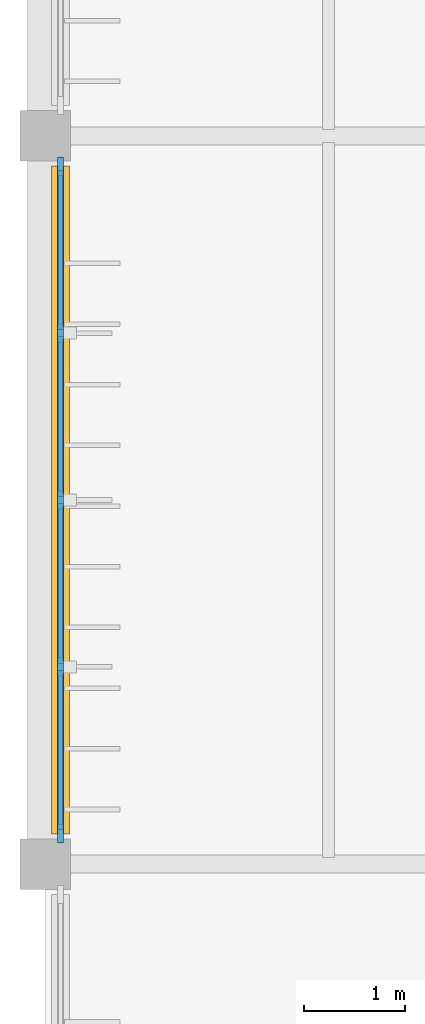
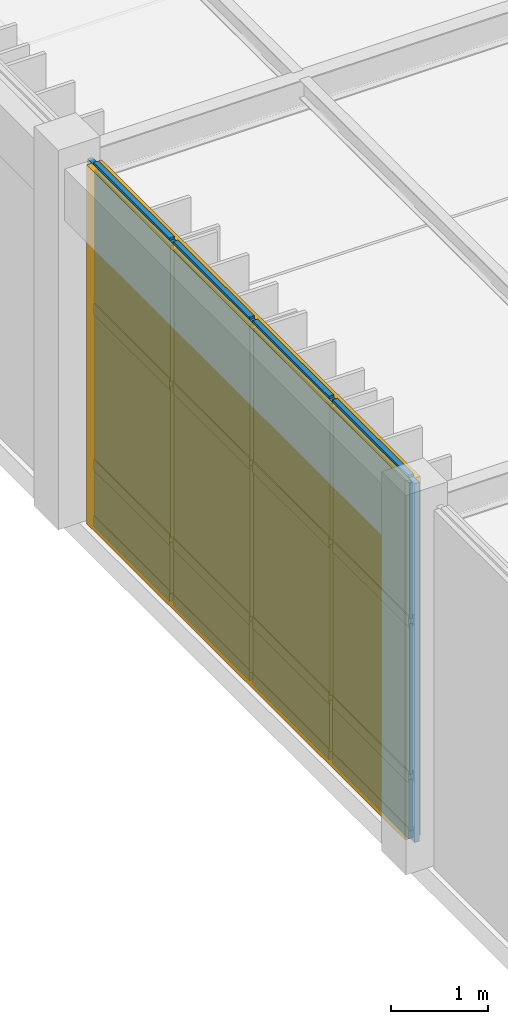
# One storey, part 63 of 122: 21 members, 12 plates, 1 curtain wall.
"""IFC4 building model written with IfcOpenShell, lengths in metres."""

import ifcopenshell
import ifcopenshell.guid

model = None  # the IFC model being written
_history = None  # IfcOwnerHistory: only IFC2X3 demands one
_inside = {}  # id of a spatial element -> (the spatial element, [elements in it])
_under = {}  # id of a project, library or spatial element -> (it, [spatial elements below it])
_declared = {}  # id of a project -> (the project, [libraries it declares])
_typed = {}  # id of a type object -> (the type object, [elements of that type])
_made_of = {}  # id of a material, layer set ... -> (it, [elements and type objects made of it])


def new_model(schema):
    """Start an empty IFC model of exactly this schema.

    Asked for "IFC4X3", IfcOpenShell would pick the latest addendum, in which some entities
    have other attributes; the version numbers below select the first issue.
    IFC2X3 requires an IfcOwnerHistory on every rooted entity: one is made here for all.
    """
    global model, _history
    if schema == "IFC4X3":
        model = ifcopenshell.file(schema_version=(4, 3, 0, 0))
    else:
        model = ifcopenshell.file(schema=schema)
    _inside.clear()
    _under.clear()
    _declared.clear()
    _typed.clear()
    _made_of.clear()
    _history = None
    if model.schema == "IFC2X3":
        org = make("IfcOrganization", Name="unknown")
        user = make(
            "IfcPersonAndOrganization",
            ThePerson=make("IfcPerson", FamilyName="unknown"),
            TheOrganization=org,
        )
        app = make(
            "IfcApplication",
            ApplicationDeveloper=org,
            Version="unknown",
            ApplicationFullName="unknown",
            ApplicationIdentifier="unknown",
        )
        _history = make(
            "IfcOwnerHistory",
            OwningUser=user,
            OwningApplication=app,
            ChangeAction="ADDED",
            CreationDate=0,
        )
    return model


def make(cls, **values):
    """One entity of the class cls with the attributes given. An attribute that is None is left unset."""
    return model.create_entity(
        cls, **{name: value for name, value in values.items() if value is not None}
    )


def rooted(cls, **values):
    """An entity with a GlobalId (a new one), such as an element, a storey or a relation."""
    return make(cls, GlobalId=ifcopenshell.guid.new(), OwnerHistory=_history, **values)


def si_unit(unit_type, name, prefix=None):
    """IfcSIUnit, for example si_unit("LENGTHUNIT", "METRE", prefix="MILLI")."""
    return make("IfcSIUnit", UnitType=unit_type, Prefix=prefix, Name=name)


def assignment(units):
    """IfcUnitAssignment: the units of a project."""
    return None if units is None else make("IfcUnitAssignment", Units=units)


def point(xyz):
    """IfcCartesianPoint."""
    return None if xyz is None else make("IfcCartesianPoint", Coordinates=xyz)


def direction(xyz):
    """IfcDirection."""
    return None if xyz is None else make("IfcDirection", DirectionRatios=xyz)


def frame(location, z_axis=None, x_axis=None):
    """IfcAxis2Placement3D, a coordinate frame: its origin and axes. An axis left out is left unset."""
    return make(
        "IfcAxis2Placement3D",
        Location=point(location),
        Axis=direction(z_axis),
        RefDirection=direction(x_axis),
    )


def frame_2d(location, x_axis=None):
    """IfcAxis2Placement2D, a coordinate frame in the plane: its origin and x axis."""
    return make(
        "IfcAxis2Placement2D", Location=point(location), RefDirection=direction(x_axis)
    )


def origin():
    """The frame at (0, 0, 0) with its axes left unset."""
    return frame((0.0, 0.0, 0.0))


def origin_2d():
    """The frame at (0, 0) in the plane with its x axis left unset."""
    return frame_2d((0.0, 0.0))


def place(relative_to, where):
    """IfcLocalPlacement: puts the frame where relative to a parent placement (None: the world)."""
    return make(
        "IfcLocalPlacement", PlacementRelTo=relative_to, RelativePlacement=where
    )


def context(
    kind, dimensions, precision=None, world=None, true_north=None, identifier=None
):
    """IfcGeometricRepresentationContext, for example the 3D "Model" context."""
    return make(
        "IfcGeometricRepresentationContext",
        ContextIdentifier=identifier,
        ContextType=kind,
        CoordinateSpaceDimension=dimensions,
        Precision=precision,
        WorldCoordinateSystem=world,
        TrueNorth=true_north,
    )


def subcontext(parent, identifier, kind, view, scale=None):
    """IfcGeometricRepresentationSubContext, for example "Body" below "Model"."""
    return make(
        "IfcGeometricRepresentationSubContext",
        ContextIdentifier=identifier,
        ContextType=kind,
        ParentContext=parent,
        TargetScale=scale,
        TargetView=view,
    )


def project(units=None, contexts=None):
    """IfcProject with its units and contexts."""
    return rooted(
        "IfcProject",
        Name="project",
        RepresentationContexts=contexts,
        UnitsInContext=assignment(units),
    )


def spatial(cls, under=None, at=None, **own):
    """A site, building, storey or space (cls), placed at a placement, below another one or the project."""
    s = rooted(cls, ObjectPlacement=at, **own)
    if under is not None:
        _under.setdefault(under.id(), (under, []))[1].append(s)
    return s


def profile(cls, at=None, kind="AREA", **sizes):
    """A parametric profile (cls). Its sizes go by their IFC names, for example OverallWidth=200.0."""
    return make(cls, ProfileType=kind, Position=at, **sizes)


def rectangle(**sizes):
    """IfcRectangleProfileDef."""
    return profile("IfcRectangleProfileDef", **sizes)


def extrude(swept, where, along, depth):
    """IfcExtrudedAreaSolid: the profile swept, set in the frame where, extruded along a direction by depth."""
    return make(
        "IfcExtrudedAreaSolid",
        SweptArea=swept,
        Position=where,
        ExtrudedDirection=direction(along),
        Depth=depth,
    )


def shape(context_of_items, identifier, shape_type, items):
    """IfcShapeRepresentation: the items that make up one representation, for example the "Body"."""
    return make(
        "IfcShapeRepresentation",
        ContextOfItems=context_of_items,
        RepresentationIdentifier=identifier,
        RepresentationType=shape_type,
        Items=items,
    )


def material(Name=None, Category=None):
    """IfcMaterial."""
    return make("IfcMaterial", Name=Name, Category=Category)


def layer(
    of_material, thickness, ventilated=None, Name=None, Category=None, Priority=None
):
    """IfcMaterialLayer: one layer of a wall or slab, of a material (None: an air gap)."""
    return make(
        "IfcMaterialLayer",
        Material=of_material,
        LayerThickness=thickness,
        IsVentilated=ventilated,
        Name=Name,
        Category=Category,
        Priority=Priority,
    )


def layer_set(layers, Name=None):
    """IfcMaterialLayerSet."""
    return make("IfcMaterialLayerSet", MaterialLayers=layers, LayerSetName=Name)


def material_profile(
    of_material, cross_section, Name=None, Category=None, Priority=None
):
    """IfcMaterialProfile: a cross section and its material."""
    return make(
        "IfcMaterialProfile",
        Name=Name,
        Material=of_material,
        Profile=cross_section,
        Priority=Priority,
        Category=Category,
    )


def profile_set(profiles, Name=None, composite=None):
    """IfcMaterialProfileSet."""
    return make(
        "IfcMaterialProfileSet",
        Name=Name,
        MaterialProfiles=profiles,
        CompositeProfile=composite,
    )


def made_of(thing, what):
    """Note that an element or type object is made of a material, layer set ...; save() writes the relation."""
    if what is not None:
        _made_of.setdefault(what.id(), (what, []))[1].append(thing)
    return thing


def type_object(cls, material=None, **own):
    """A type object (cls), such as IfcWallType, which elements share."""
    return made_of(rooted(cls, **own), material)


def element(
    cls,
    number,
    at=None,
    inside=None,
    cuts=None,
    type_object=None,
    material=None,
    context=None,
    identifier="Body",
    shape_type=None,
    held_by="IfcProductDefinitionShape",
    body=None,
    shapes=None,
    **own,
):
    """One element of the class cls, such as IfcWall. Its Tag is "e" and its number.

    at: its placement. inside: the storey or other place that contains it. cuts: it is an
    opening in that element (IfcRelVoidsElement). A single representation is given by context,
    identifier, shape_type and body (its items); several are given by shapes. held_by: the class
    of the entity that holds the representations. save() writes the other relations.
    """
    e = rooted(cls, Tag="e%d" % number, ObjectPlacement=at, **own)
    if body is not None:
        shapes = [shape(context, identifier, shape_type, body)]
    if shapes is not None:
        e.Representation = make(held_by, Representations=shapes)
    if inside is not None:
        _inside.setdefault(inside.id(), (inside, []))[1].append(e)
    if cuts is not None:
        rooted(
            "IfcRelVoidsElement", RelatingBuildingElement=cuts, RelatedOpeningElement=e
        )
    if type_object is not None:
        _typed.setdefault(type_object.id(), (type_object, []))[1].append(e)
    return made_of(e, material)


def aggregate(whole, parts):
    """IfcRelAggregates: a whole, such as a stair, and the parts it consists of."""
    return rooted("IfcRelAggregates", RelatingObject=whole, RelatedObjects=parts)


def save(model, path):
    """Write the relations noted so far, then the file.

    IfcRelAggregates (storeys below a building ...), IfcRelContainedInSpatialStructure (elements
    in a storey), IfcRelDefinesByType, IfcRelAssociatesMaterial and IfcRelDeclares: one each for
    every whole, place, type object, material and project.
    """
    for whole, parts in _under.values():
        aggregate(whole, parts)
    for where, things in _inside.values():
        rooted(
            "IfcRelContainedInSpatialStructure",
            RelatedElements=things,
            RelatingStructure=where,
        )
    for kind, things in _typed.values():
        rooted("IfcRelDefinesByType", RelatedObjects=things, RelatingType=kind)
    for what, things in _made_of.values():
        rooted("IfcRelAssociatesMaterial", RelatedObjects=things, RelatingMaterial=what)
    for by, libraries in _declared.values():
        rooted("IfcRelDeclares", RelatingContext=by, RelatedDefinitions=libraries)
    model.write(path)


model = new_model("IFC4")

# Units and contexts
model_context = context("Model", 3, precision=1e-05, world=origin(), true_north=direction((0.0, 1.0)))
body_context = subcontext(model_context, "Body", "Model", "MODEL_VIEW")
ifc_project = project(units=[si_unit("LENGTHUNIT", "METRE"), si_unit("AREAUNIT", "SQUARE_METRE"), si_unit("VOLUMEUNIT", "CUBIC_METRE"), si_unit("PLANEANGLEUNIT", "RADIAN"), si_unit("MASSUNIT", "GRAM", prefix="KILO")], contexts=[model_context])

# Member
ifc_material_1 = material(Name="Anodised Bronze Aluminium 6063-T6", Category="aluminium")
ifc_material_profile_1 = material_profile(ifc_material_1, rectangle(XDim=0.06005859375, YDim=0.179931640625, at=origin_2d()), Name="ALU MULLION 60x180")
ifc_profile_set_1 = profile_set([ifc_material_profile_1], Name="Anodised Bronze Aluminium 6063-T6")
member_type_1 = type_object("IfcMemberType", Name="Curtain-Wall Primary Mullion 60x180", PredefinedType="MULLION", material=ifc_profile_set_1)
site_placement = place(None, origin())
building_placement = place(site_placement, origin())
storey_placement = place(building_placement, origin())
member_1_placement = place(storey_placement, frame((2.550048828125, 44.89990234375, 0.0), z_axis=(0.0, 0.0, 1.0), x_axis=(1.0, 0.0, 0.0)))
member_1 = element("IfcMember", 1, at=member_1_placement, type_object=member_type_1, Name="Mullion CWM-01 CW-V6-W1-L00-B2-M01", PredefinedType="MULLION", context=body_context, shape_type="SweptSolid", body=[
    extrude(rectangle(XDim=0.06005859375, YDim=0.179931640625, at=origin_2d()), origin(), (0.0, 0.0, 1.0), 4.5400390625),
])

member_2_placement = place(storey_placement, frame((2.550048828125, 46.550048828125, 0.0), z_axis=(0.0, 0.0, 1.0), x_axis=(1.0, 0.0, 0.0)))
member_2 = element("IfcMember", 2, at=member_2_placement, type_object=member_type_1, Name="Mullion CWM-01 CW-V6-W1-L00-B2-M02", PredefinedType="MULLION", context=body_context, shape_type="SweptSolid", body=[
    extrude(rectangle(XDim=0.06005859375, YDim=0.179931640625, at=origin_2d()), origin(), (0.0, 0.0, 1.0), 4.5400390625),
])

member_3_placement = place(storey_placement, frame((2.550048828125, 48.199951171875, 0.0), z_axis=(0.0, 0.0, 1.0), x_axis=(1.0, 0.0, 0.0)))
member_3 = element("IfcMember", 3, at=member_3_placement, type_object=member_type_1, Name="Mullion CWM-01 CW-V6-W1-L00-B2-M03", PredefinedType="MULLION", context=body_context, shape_type="SweptSolid", body=[
    extrude(rectangle(XDim=0.06005859375, YDim=0.179931640625, at=origin_2d()), origin(), (0.0, 0.0, 1.0), 4.5400390625),
])

member_4_placement = place(storey_placement, frame((2.550048828125, 49.85009765625, 0.0), z_axis=(0.0, 0.0, 1.0), x_axis=(1.0, 0.0, 0.0)))
member_4 = element("IfcMember", 4, at=member_4_placement, type_object=member_type_1, Name="Mullion CWM-01 CW-V6-W1-L00-B2-M04", PredefinedType="MULLION", context=body_context, shape_type="SweptSolid", body=[
    extrude(rectangle(XDim=0.06005859375, YDim=0.179931640625, at=origin_2d()), origin(), (0.0, 0.0, 1.0), 4.5400390625),
])

member_5_placement = place(storey_placement, frame((2.550048828125, 51.5, 0.0), z_axis=(0.0, 0.0, 1.0), x_axis=(1.0, 0.0, 0.0)))
member_5 = element("IfcMember", 5, at=member_5_placement, type_object=member_type_1, Name="Mullion CWM-01 CW-V6-W1-L00-B2-M05", PredefinedType="MULLION", context=body_context, shape_type="SweptSolid", body=[
    extrude(rectangle(XDim=0.06005859375, YDim=0.179931640625, at=origin_2d()), origin(), (0.0, 0.0, 1.0), 4.5400390625),
])

ifc_material_profile_2 = material_profile(ifc_material_1, rectangle(XDim=0.06005859375, YDim=0.139892578125, at=origin_2d()), Name="ALU TRANSOM 60x140")
ifc_profile_set_2 = profile_set([ifc_material_profile_2], Name="Anodised Bronze Aluminium 6063-T6")
member_type_2 = type_object("IfcMemberType", Name="Curtain-Wall Transom 60x140", PredefinedType="USERDEFINED", material=ifc_profile_set_2)
member_6_placement = place(storey_placement, frame((2.550048828125, 44.93505859375, 0.0400390625), z_axis=(0.0, 1.0, 0.0), x_axis=(-1.0, 0.0, 0.0)))
member_6 = element("IfcMember", 6, at=member_6_placement, type_object=member_type_2, Name="Transom CWT-01 CW-V6-W1-L00-B2-T01.1", ObjectType="TRANSOM", PredefinedType="USERDEFINED", context=body_context, shape_type="SweptSolid", body=[
    extrude(rectangle(XDim=0.06005859375, YDim=0.139892578125, at=origin_2d()), origin(), (0.0, 0.0, 1.0), 1.579833984375),
])

member_7_placement = place(storey_placement, frame((2.550048828125, 44.93505859375, 0.75), z_axis=(0.0, 1.0, 0.0), x_axis=(-1.0, 0.0, 0.0)))
member_7 = element("IfcMember", 7, at=member_7_placement, type_object=member_type_2, Name="Transom CWT-01 CW-V6-W1-L00-B2-T01.2", ObjectType="TRANSOM", PredefinedType="USERDEFINED", context=body_context, shape_type="SweptSolid", body=[
    extrude(rectangle(XDim=0.06005859375, YDim=0.139892578125, at=origin_2d()), origin(), (0.0, 0.0, 1.0), 1.579833984375),
])

member_8_placement = place(storey_placement, frame((2.550048828125, 44.93505859375, 2.720703125), z_axis=(0.0, 1.0, 0.0), x_axis=(-1.0, 0.0, 0.0)))
member_8 = element("IfcMember", 8, at=member_8_placement, type_object=member_type_2, Name="Transom CWT-01 CW-V6-W1-L00-B2-T01.3", ObjectType="TRANSOM", PredefinedType="USERDEFINED", context=body_context, shape_type="SweptSolid", body=[
    extrude(rectangle(XDim=0.06005859375, YDim=0.139892578125, at=origin_2d()), origin(), (0.0, 0.0, 1.0), 1.579833984375),
])

member_9_placement = place(storey_placement, frame((2.550048828125, 44.93505859375, 4.5), z_axis=(0.0, 1.0, 0.0), x_axis=(-1.0, 0.0, 0.0)))
member_9 = element("IfcMember", 9, at=member_9_placement, type_object=member_type_2, Name="Transom CWT-01 CW-V6-W1-L00-B2-T01.4", ObjectType="TRANSOM", PredefinedType="USERDEFINED", context=body_context, shape_type="SweptSolid", body=[
    extrude(rectangle(XDim=0.06005859375, YDim=0.139892578125, at=origin_2d()), origin(), (0.0, 0.0, 1.0), 1.579833984375),
])

member_10_placement = place(storey_placement, frame((2.550048828125, 46.5849609375, 0.0400390625), z_axis=(0.0, 1.0, 0.0), x_axis=(-1.0, 0.0, 0.0)))
member_10 = element("IfcMember", 10, at=member_10_placement, type_object=member_type_2, Name="Transom CWT-01 CW-V6-W1-L00-B2-T02.1", ObjectType="TRANSOM", PredefinedType="USERDEFINED", context=body_context, shape_type="SweptSolid", body=[
    extrude(rectangle(XDim=0.06005859375, YDim=0.139892578125, at=origin_2d()), origin(), (0.0, 0.0, 1.0), 1.580078125),
])

member_11_placement = place(storey_placement, frame((2.550048828125, 46.5849609375, 0.75), z_axis=(0.0, 1.0, 0.0), x_axis=(-1.0, 0.0, 0.0)))
member_11 = element("IfcMember", 11, at=member_11_placement, type_object=member_type_2, Name="Transom CWT-01 CW-V6-W1-L00-B2-T02.2", ObjectType="TRANSOM", PredefinedType="USERDEFINED", context=body_context, shape_type="SweptSolid", body=[
    extrude(rectangle(XDim=0.06005859375, YDim=0.139892578125, at=origin_2d()), origin(), (0.0, 0.0, 1.0), 1.580078125),
])

member_12_placement = place(storey_placement, frame((2.550048828125, 46.5849609375, 2.720703125), z_axis=(0.0, 1.0, 0.0), x_axis=(-1.0, 0.0, 0.0)))
member_12 = element("IfcMember", 12, at=member_12_placement, type_object=member_type_2, Name="Transom CWT-01 CW-V6-W1-L00-B2-T02.3", ObjectType="TRANSOM", PredefinedType="USERDEFINED", context=body_context, shape_type="SweptSolid", body=[
    extrude(rectangle(XDim=0.06005859375, YDim=0.139892578125, at=origin_2d()), origin(), (0.0, 0.0, 1.0), 1.580078125),
])

member_13_placement = place(storey_placement, frame((2.550048828125, 46.5849609375, 4.5), z_axis=(0.0, 1.0, 0.0), x_axis=(-1.0, 0.0, 0.0)))
member_13 = element("IfcMember", 13, at=member_13_placement, type_object=member_type_2, Name="Transom CWT-01 CW-V6-W1-L00-B2-T02.4", ObjectType="TRANSOM", PredefinedType="USERDEFINED", context=body_context, shape_type="SweptSolid", body=[
    extrude(rectangle(XDim=0.06005859375, YDim=0.139892578125, at=origin_2d()), origin(), (0.0, 0.0, 1.0), 1.580078125),
])

member_14_placement = place(storey_placement, frame((2.550048828125, 48.235107421875, 0.0400390625), z_axis=(0.0, 1.0, 0.0), x_axis=(-1.0, 0.0, 0.0)))
member_14 = element("IfcMember", 14, at=member_14_placement, type_object=member_type_2, Name="Transom CWT-01 CW-V6-W1-L00-B2-T03.1", ObjectType="TRANSOM", PredefinedType="USERDEFINED", context=body_context, shape_type="SweptSolid", body=[
    extrude(rectangle(XDim=0.06005859375, YDim=0.139892578125, at=origin_2d()), origin(), (0.0, 0.0, 1.0), 1.579833984375),
])

member_15_placement = place(storey_placement, frame((2.550048828125, 48.235107421875, 0.75), z_axis=(0.0, 1.0, 0.0), x_axis=(-1.0, 0.0, 0.0)))
member_15 = element("IfcMember", 15, at=member_15_placement, type_object=member_type_2, Name="Transom CWT-01 CW-V6-W1-L00-B2-T03.2", ObjectType="TRANSOM", PredefinedType="USERDEFINED", context=body_context, shape_type="SweptSolid", body=[
    extrude(rectangle(XDim=0.06005859375, YDim=0.139892578125, at=origin_2d()), origin(), (0.0, 0.0, 1.0), 1.579833984375),
])

member_16_placement = place(storey_placement, frame((2.550048828125, 48.235107421875, 2.720703125), z_axis=(0.0, 1.0, 0.0), x_axis=(-1.0, 0.0, 0.0)))
member_16 = element("IfcMember", 16, at=member_16_placement, type_object=member_type_2, Name="Transom CWT-01 CW-V6-W1-L00-B2-T03.3", ObjectType="TRANSOM", PredefinedType="USERDEFINED", context=body_context, shape_type="SweptSolid", body=[
    extrude(rectangle(XDim=0.06005859375, YDim=0.139892578125, at=origin_2d()), origin(), (0.0, 0.0, 1.0), 1.579833984375),
])

member_17_placement = place(storey_placement, frame((2.550048828125, 48.235107421875, 4.5), z_axis=(0.0, 1.0, 0.0), x_axis=(-1.0, 0.0, 0.0)))
member_17 = element("IfcMember", 17, at=member_17_placement, type_object=member_type_2, Name="Transom CWT-01 CW-V6-W1-L00-B2-T03.4", ObjectType="TRANSOM", PredefinedType="USERDEFINED", context=body_context, shape_type="SweptSolid", body=[
    extrude(rectangle(XDim=0.06005859375, YDim=0.139892578125, at=origin_2d()), origin(), (0.0, 0.0, 1.0), 1.579833984375),
])

member_18_placement = place(storey_placement, frame((2.550048828125, 49.885009765625, 0.0400390625), z_axis=(0.0, 1.0, 0.0), x_axis=(-1.0, 0.0, 0.0)))
member_18 = element("IfcMember", 18, at=member_18_placement, type_object=member_type_2, Name="Transom CWT-01 CW-V6-W1-L00-B2-T04.1", ObjectType="TRANSOM", PredefinedType="USERDEFINED", context=body_context, shape_type="SweptSolid", body=[
    extrude(rectangle(XDim=0.06005859375, YDim=0.139892578125, at=origin_2d()), origin(), (0.0, 0.0, 1.0), 1.580078125),
])

member_19_placement = place(storey_placement, frame((2.550048828125, 49.885009765625, 0.75), z_axis=(0.0, 1.0, 0.0), x_axis=(-1.0, 0.0, 0.0)))
member_19 = element("IfcMember", 19, at=member_19_placement, type_object=member_type_2, Name="Transom CWT-01 CW-V6-W1-L00-B2-T04.2", ObjectType="TRANSOM", PredefinedType="USERDEFINED", context=body_context, shape_type="SweptSolid", body=[
    extrude(rectangle(XDim=0.06005859375, YDim=0.139892578125, at=origin_2d()), origin(), (0.0, 0.0, 1.0), 1.580078125),
])

member_20_placement = place(storey_placement, frame((2.550048828125, 49.885009765625, 2.720703125), z_axis=(0.0, 1.0, 0.0), x_axis=(-1.0, 0.0, 0.0)))
member_20 = element("IfcMember", 20, at=member_20_placement, type_object=member_type_2, Name="Transom CWT-01 CW-V6-W1-L00-B2-T04.3", ObjectType="TRANSOM", PredefinedType="USERDEFINED", context=body_context, shape_type="SweptSolid", body=[
    extrude(rectangle(XDim=0.06005859375, YDim=0.139892578125, at=origin_2d()), origin(), (0.0, 0.0, 1.0), 1.580078125),
])

member_21_placement = place(storey_placement, frame((2.550048828125, 49.885009765625, 4.5), z_axis=(0.0, 1.0, 0.0), x_axis=(-1.0, 0.0, 0.0)))
member_21 = element("IfcMember", 21, at=member_21_placement, type_object=member_type_2, Name="Transom CWT-01 CW-V6-W1-L00-B2-T04.4", ObjectType="TRANSOM", PredefinedType="USERDEFINED", context=body_context, shape_type="SweptSolid", body=[
    extrude(rectangle(XDim=0.06005859375, YDim=0.139892578125, at=origin_2d()), origin(), (0.0, 0.0, 1.0), 1.580078125),
])

# Plate
ifc_material_2 = material(Name="Insulated Bronze Aluminium Spandrel Panel", Category="aluminium")
ifc_layer_1 = layer(ifc_material_2, 0.050048828125, Name="Insulated Bronze Aluminium Spandrel Panel")
ifc_layer_set_1 = layer_set([ifc_layer_1], Name="Insulated Bronze Aluminium Spandrel Panel")
plate_type_1 = type_object("IfcPlateType", Name="Insulated Anodised Aluminium Spandrel Cassette 50", PredefinedType="CURTAIN_PANEL", material=ifc_layer_set_1)
plate_1_placement = place(storey_placement, frame((2.550048828125, 45.72509765625, 0.070068359375), z_axis=(0.0, 0.0, 1.0), x_axis=(0.0, 1.0, 0.0)))
plate_1 = element("IfcPlate", 22, at=plate_1_placement, type_object=plate_type_1, Name="Curtain Panel CWP-03 CW-V6-W1-L00-B2-P01.1", PredefinedType="CURTAIN_PANEL", context=body_context, shape_type="SweptSolid", body=[
    extrude(rectangle(XDim=1.580078125, YDim=0.050048828125, at=origin_2d()), origin(), (0.0, 0.0, 1.0), 0.64990234375),
])

plate_2_placement = place(storey_placement, frame((2.550048828125, 47.375, 0.070068359375), z_axis=(0.0, 0.0, 1.0), x_axis=(0.0, 1.0, 0.0)))
plate_2 = element("IfcPlate", 23, at=plate_2_placement, type_object=plate_type_1, Name="Curtain Panel CWP-03 CW-V6-W1-L00-B2-P02.1", PredefinedType="CURTAIN_PANEL", context=body_context, shape_type="SweptSolid", body=[
    extrude(rectangle(XDim=1.580078125, YDim=0.050048828125, at=origin_2d()), origin(), (0.0, 0.0, 1.0), 0.64990234375),
])

plate_3_placement = place(storey_placement, frame((2.550048828125, 49.02490234375, 0.070068359375), z_axis=(0.0, 0.0, 1.0), x_axis=(0.0, 1.0, 0.0)))
plate_3 = element("IfcPlate", 24, at=plate_3_placement, type_object=plate_type_1, Name="Curtain Panel CWP-03 CW-V6-W1-L00-B2-P03.1", PredefinedType="CURTAIN_PANEL", context=body_context, shape_type="SweptSolid", body=[
    extrude(rectangle(XDim=1.580078125, YDim=0.050048828125, at=origin_2d()), origin(), (0.0, 0.0, 1.0), 0.64990234375),
])

plate_4_placement = place(storey_placement, frame((2.550048828125, 50.675048828125, 0.070068359375), z_axis=(0.0, 0.0, 1.0), x_axis=(0.0, 1.0, 0.0)))
plate_4 = element("IfcPlate", 25, at=plate_4_placement, type_object=plate_type_1, Name="Curtain Panel CWP-03 CW-V6-W1-L00-B2-P04.1", PredefinedType="CURTAIN_PANEL", context=body_context, shape_type="SweptSolid", body=[
    extrude(rectangle(XDim=1.580078125, YDim=0.050048828125, at=origin_2d()), origin(), (0.0, 0.0, 1.0), 0.64990234375),
])

ifc_material_3 = material(Name="Solar-Control Tempered Double Glazing", Category="glass")
ifc_layer_2 = layer(ifc_material_3, 0.0380859375, Name="Solar-Control Tempered Double Glazing")
ifc_layer_set_2 = layer_set([ifc_layer_2], Name="Solar-Control Tempered Double Glazing")
plate_type_2 = type_object("IfcPlateType", Name="Solar-Control Vision Glazing Unit 38", PredefinedType="CURTAIN_PANEL", material=ifc_layer_set_2)
plate_5_placement = place(storey_placement, frame((2.550048828125, 45.72509765625, 0.77978515625), z_axis=(0.0, 0.0, 1.0), x_axis=(0.0, 1.0, 0.0)))
plate_5 = element("IfcPlate", 26, at=plate_5_placement, type_object=plate_type_2, Name="Curtain Panel CWP-02 CW-V6-W1-L00-B2-P01.2", PredefinedType="CURTAIN_PANEL", context=body_context, shape_type="SweptSolid", body=[
    extrude(rectangle(XDim=1.580078125, YDim=0.0380859375, at=origin_2d()), origin(), (0.0, 0.0, 1.0), 1.910888671875),
])

plate_6_placement = place(storey_placement, frame((2.550048828125, 45.72509765625, 2.750732421875), z_axis=(0.0, 0.0, 1.0), x_axis=(0.0, 1.0, 0.0)))
plate_6 = element("IfcPlate", 27, at=plate_6_placement, type_object=plate_type_2, Name="Curtain Panel CWP-02 CW-V6-W1-L00-B2-P01.3", PredefinedType="CURTAIN_PANEL", context=body_context, shape_type="SweptSolid", body=[
    extrude(rectangle(XDim=1.580078125, YDim=0.0380859375, at=origin_2d()), origin(), (0.0, 0.0, 1.0), 1.71923828125),
])

plate_7_placement = place(storey_placement, frame((2.550048828125, 47.375, 0.77978515625), z_axis=(0.0, 0.0, 1.0), x_axis=(0.0, 1.0, 0.0)))
plate_7 = element("IfcPlate", 28, at=plate_7_placement, type_object=plate_type_2, Name="Curtain Panel CWP-02 CW-V6-W1-L00-B2-P02.2", PredefinedType="CURTAIN_PANEL", context=body_context, shape_type="SweptSolid", body=[
    extrude(rectangle(XDim=1.580078125, YDim=0.0380859375, at=origin_2d()), origin(), (0.0, 0.0, 1.0), 1.910888671875),
])

plate_8_placement = place(storey_placement, frame((2.550048828125, 47.375, 2.750732421875), z_axis=(0.0, 0.0, 1.0), x_axis=(0.0, 1.0, 0.0)))
plate_8 = element("IfcPlate", 29, at=plate_8_placement, type_object=plate_type_2, Name="Curtain Panel CWP-02 CW-V6-W1-L00-B2-P02.3", PredefinedType="CURTAIN_PANEL", context=body_context, shape_type="SweptSolid", body=[
    extrude(rectangle(XDim=1.580078125, YDim=0.0380859375, at=origin_2d()), origin(), (0.0, 0.0, 1.0), 1.71923828125),
])

plate_9_placement = place(storey_placement, frame((2.550048828125, 49.02490234375, 0.77978515625), z_axis=(0.0, 0.0, 1.0), x_axis=(0.0, 1.0, 0.0)))
plate_9 = element("IfcPlate", 30, at=plate_9_placement, type_object=plate_type_2, Name="Curtain Panel CWP-02 CW-V6-W1-L00-B2-P03.2", PredefinedType="CURTAIN_PANEL", context=body_context, shape_type="SweptSolid", body=[
    extrude(rectangle(XDim=1.580078125, YDim=0.0380859375, at=origin_2d()), origin(), (0.0, 0.0, 1.0), 1.910888671875),
])

plate_10_placement = place(storey_placement, frame((2.550048828125, 49.02490234375, 2.750732421875), z_axis=(0.0, 0.0, 1.0), x_axis=(0.0, 1.0, 0.0)))
plate_10 = element("IfcPlate", 31, at=plate_10_placement, type_object=plate_type_2, Name="Curtain Panel CWP-02 CW-V6-W1-L00-B2-P03.3", PredefinedType="CURTAIN_PANEL", context=body_context, shape_type="SweptSolid", body=[
    extrude(rectangle(XDim=1.580078125, YDim=0.0380859375, at=origin_2d()), origin(), (0.0, 0.0, 1.0), 1.71923828125),
])

plate_11_placement = place(storey_placement, frame((2.550048828125, 50.675048828125, 0.77978515625), z_axis=(0.0, 0.0, 1.0), x_axis=(0.0, 1.0, 0.0)))
plate_11 = element("IfcPlate", 32, at=plate_11_placement, type_object=plate_type_2, Name="Curtain Panel CWP-02 CW-V6-W1-L00-B2-P04.2", PredefinedType="CURTAIN_PANEL", context=body_context, shape_type="SweptSolid", body=[
    extrude(rectangle(XDim=1.580078125, YDim=0.0380859375, at=origin_2d()), origin(), (0.0, 0.0, 1.0), 1.910888671875),
])

plate_12_placement = place(storey_placement, frame((2.550048828125, 50.675048828125, 2.750732421875), z_axis=(0.0, 0.0, 1.0), x_axis=(0.0, 1.0, 0.0)))
plate_12 = element("IfcPlate", 33, at=plate_12_placement, type_object=plate_type_2, Name="Curtain Panel CWP-02 CW-V6-W1-L00-B2-P04.3", PredefinedType="CURTAIN_PANEL", context=body_context, shape_type="SweptSolid", body=[
    extrude(rectangle(XDim=1.580078125, YDim=0.0380859375, at=origin_2d()), origin(), (0.0, 0.0, 1.0), 1.71923828125),
])

# Site, building, storey
site = spatial("IfcSite", under=ifc_project, at=site_placement, CompositionType="ELEMENT")
building = spatial("IfcBuilding", under=site, at=building_placement, Name="Tazoul Stagehouse", CompositionType="ELEMENT")
storey = spatial("IfcBuildingStorey", under=building, at=storey_placement, Name="L00", CompositionType="ELEMENT", Elevation=0.0)

# Curtain wall
curtain_wall_type = type_object("IfcCurtainWallType", Name="Foyer Clear Solar-Control Curtain Wall", PredefinedType="NOTDEFINED", material=ifc_material_1)
curtain_wall_placement = place(storey_placement, frame((2.550048828125, 44.89990234375, 0.0), z_axis=(0.0, 0.0, 1.0), x_axis=(0.0, 1.0, 0.0)))
curtain_wall = element("IfcCurtainWall", 34, at=curtain_wall_placement, inside=storey, type_object=curtain_wall_type, Name="L00 Curtain Wall CW-02 (CW-V6-W1-L00-B2)", PredefinedType="NOTDEFINED", context=body_context, shape_type="SweptSolid", body=[
    extrude(rectangle(XDim=6.60009765625, YDim=0.179931640625, at=frame_2d((3.300048828125, 0.0))), origin(), (0.0, 0.0, 1.0), 4.5400390625),
])

aggregate(curtain_wall, [member_1, member_2, member_3, member_4, member_5, member_6, member_7, member_8, member_9, plate_1, plate_5, plate_6, member_10, member_11, member_12, member_13, plate_2, plate_7, plate_8, member_14, member_15, member_16, member_17, plate_3, plate_9, plate_10, member_18, member_19, member_20, member_21, plate_4, plate_11, plate_12])

save(model, "model.ifc")
